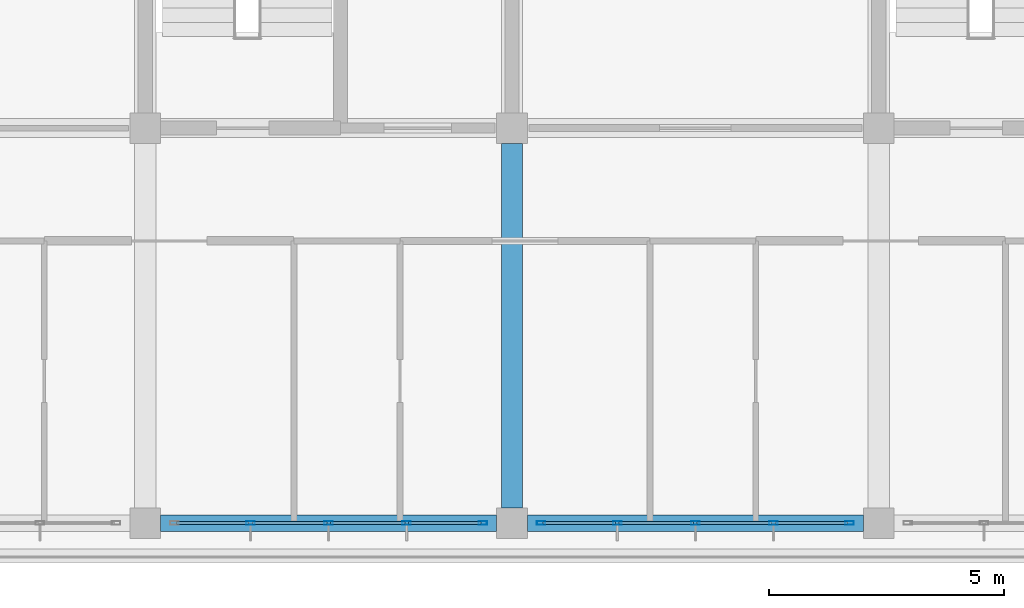
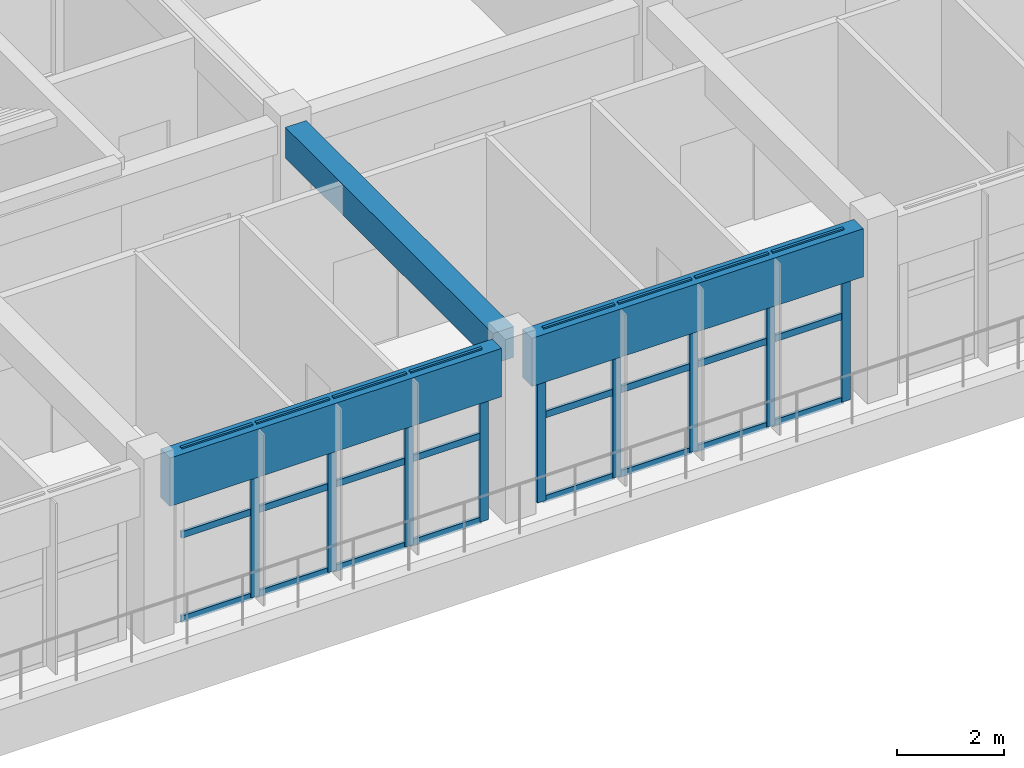
# One storey, part 21 of 63: 33 members, 3 beams, 2 elements without a shape of their own.
"""IFC4 building model written with IfcOpenShell, lengths in metres."""

from ifc_helpers import new_model, si_unit, direction, frame, origin, origin_2d, place, context, subcontext, project, spatial, rectangle, hollow_rectangle, extrude, material, layer, layer_set, material_profile, profile_set, type_object, element, aggregate, save


model = new_model("IFC4")

# Units and contexts
model_context = context("Model", 3, precision=1e-05, world=origin(), true_north=direction((0.0, 1.0)))
body_context = subcontext(model_context, "Body", "Model", "MODEL_VIEW")
ifc_project = project(units=[si_unit("LENGTHUNIT", "METRE"), si_unit("AREAUNIT", "SQUARE_METRE"), si_unit("VOLUMEUNIT", "CUBIC_METRE"), si_unit("PLANEANGLEUNIT", "RADIAN"), si_unit("MASSUNIT", "GRAM", prefix="KILO")], contexts=[model_context])

# Site, building, storey
site_placement = place(None, origin())
site = spatial("IfcSite", under=ifc_project, at=site_placement, CompositionType="ELEMENT")
building_placement = place(site_placement, origin())
building = spatial("IfcBuilding", under=site, at=building_placement, Name="Zizhar Promenade General Hospital", CompositionType="ELEMENT")
storey_placement = place(building_placement, frame((0.0, 0.0, 18.0)))
storey = spatial("IfcBuildingStorey", under=building, at=storey_placement, Name="L04", CompositionType="ELEMENT", Elevation=18.0)

# Beams
ifc_material_1 = material(Name="Precast concrete C40/50", Category="concrete")
ifc_material_profile_1 = material_profile(ifc_material_1, rectangle(XDim=0.35009765625, YDim=1.10009765625, at=origin_2d()))
ifc_profile_set_1 = profile_set([ifc_material_profile_1], Name="Precast concrete C40/50")
beam_type_1 = type_object("IfcBeamType", Name="BM-PC-BAND1100", PredefinedType="SPANDREL", material=ifc_profile_set_1)
beam_1_placement = place(storey_placement, frame((78.324951171875, 0.0, 3.360107421875), z_axis=(1.0, 0.0, 0.0), x_axis=(0.0, 1.0, 0.0)))
element("IfcBeam", 1, at=beam_1_placement, inside=storey, type_object=beam_type_1, Name="Grid Beam X L04 (10-0)", PredefinedType="SPANDREL", context=body_context, shape_type="SweptSolid", body=[
    extrude(rectangle(XDim=0.35009765625, YDim=1.10009765625, at=origin_2d()), origin(), (0.0, 0.0, 1.0), 7.150146484375),
])
beam_2_placement = place(storey_placement, frame((86.125, 0.0, 3.360107421875), z_axis=(1.0, 0.0, 0.0), x_axis=(0.0, 1.0, 0.0)))
element("IfcBeam", 2, at=beam_2_placement, inside=storey, type_object=beam_type_1, Name="Grid Beam X L04 (11-0)", PredefinedType="SPANDREL", context=body_context, shape_type="SweptSolid", body=[
    extrude(rectangle(XDim=0.35009765625, YDim=1.10009765625, at=origin_2d()), origin(), (0.0, 0.0, 1.0), 7.14990234375),
])
ifc_material_2 = material(Name="Concrete C35/45", Category="concrete")
ifc_material_profile_2 = material_profile(ifc_material_2, rectangle(XDim=0.449951171875, YDim=0.699951171875, at=origin_2d()))
ifc_profile_set_2 = profile_set([ifc_material_profile_2], Name="Concrete C35/45")
beam_type_2 = type_object("IfcBeamType", Name="BM-RC-450x700", PredefinedType="BEAM", material=ifc_profile_set_2)
beam_3_placement = place(storey_placement, frame((85.800048828125, 0.324951171875, 3.56005859375), z_axis=(0.0, 1.0, 0.0), x_axis=(-1.0, 0.0, 0.0)))
element("IfcBeam", 3, at=beam_3_placement, inside=storey, type_object=beam_type_2, Name="Grid Beam Y L04 (11-0)", PredefinedType="BEAM", context=body_context, shape_type="SweptSolid", body=[
    extrude(rectangle(XDim=0.449951171875, YDim=0.699951171875, at=origin_2d()), origin(), (0.0, 0.0, 1.0), 7.75),
])

# Curtain wall, members
ifc_material_3 = material(Name="Anodised aluminium 6063-T6 and low-E glass", Category="aluminium")
ifc_layer = layer(ifc_material_3, 0.159912109375)
ifc_layer_set = layer_set([ifc_layer], Name="Anodised aluminium 6063-T6 and low-E glass")
curtain_wall_type = type_object("IfcCurtainWallType", Name="CW-WARD-RIB", PredefinedType="NOTDEFINED", material=ifc_layer_set)
curtain_wall_1_placement = place(storey_placement, origin())
curtain_wall_1 = element("IfcCurtainWall", 4, at=curtain_wall_1_placement, inside=storey, type_object=curtain_wall_type, Name="Ward Ribbon Curtain Wall L04-17-3", PredefinedType="NOTDEFINED")
ifc_material_4 = material(Name="Anodised aluminium 6063-T6", Category="aluminium")
ifc_material_profile_3 = material_profile(ifc_material_4, hollow_rectangle(XDim=0.080078125, YDim=0.179931640625, WallThickness=0.0048828125, at=origin_2d()))
ifc_profile_set_3 = profile_set([ifc_material_profile_3], Name="Anodised aluminium 6063-T6")
member_type_1 = type_object("IfcMemberType", Name="CWM-ALU-180x80", PredefinedType="MULLION", material=ifc_profile_set_3)
member_1_placement = place(storey_placement, frame((92.97998046875, 0.0, 0.0), z_axis=(0.0, 0.0, 1.0), x_axis=(0.0, -1.0, 0.0)))
member_1 = element("IfcMember", 5, at=member_1_placement, type_object=member_type_1, Name="CW-13 mullion 1", PredefinedType="MULLION", context=body_context, shape_type="SweptSolid", body=[
    extrude(hollow_rectangle(XDim=0.080078125, YDim=0.179931640625, WallThickness=0.0048828125, at=origin_2d()), origin(), (0.0, 0.0, 1.0), 3.89990234375),
])
member_2_placement = place(storey_placement, frame((91.360107421875, 0.0, 0.0), z_axis=(0.0, 0.0, 1.0), x_axis=(0.0, -1.0, 0.0)))
member_2 = element("IfcMember", 6, at=member_2_placement, type_object=member_type_1, Name="CW-13 mullion 2", PredefinedType="MULLION", context=body_context, shape_type="SweptSolid", body=[
    extrude(hollow_rectangle(XDim=0.080078125, YDim=0.179931640625, WallThickness=0.0048828125, at=origin_2d()), origin(), (0.0, 0.0, 1.0), 3.89990234375),
])
member_3_placement = place(storey_placement, frame((89.699951171875, 0.0, 0.0), z_axis=(0.0, 0.0, 1.0), x_axis=(0.0, -1.0, 0.0)))
member_3 = element("IfcMember", 7, at=member_3_placement, type_object=member_type_1, Name="CW-13 mullion 3", PredefinedType="MULLION", context=body_context, shape_type="SweptSolid", body=[
    extrude(hollow_rectangle(XDim=0.080078125, YDim=0.179931640625, WallThickness=0.0048828125, at=origin_2d()), origin(), (0.0, 0.0, 1.0), 3.89990234375),
])
member_4_placement = place(storey_placement, frame((88.0400390625, 0.0, 0.0), z_axis=(0.0, 0.0, 1.0), x_axis=(0.0, -1.0, 0.0)))
member_4 = element("IfcMember", 8, at=member_4_placement, type_object=member_type_1, Name="CW-13 mullion 4", PredefinedType="MULLION", context=body_context, shape_type="SweptSolid", body=[
    extrude(hollow_rectangle(XDim=0.080078125, YDim=0.179931640625, WallThickness=0.0048828125, at=origin_2d()), origin(), (0.0, 0.0, 1.0), 3.89990234375),
])
member_5_placement = place(storey_placement, frame((86.419921875, 0.0, 0.0), z_axis=(0.0, 0.0, 1.0), x_axis=(0.0, -1.0, 0.0)))
member_5 = element("IfcMember", 9, at=member_5_placement, type_object=member_type_1, Name="CW-13 mullion 5", PredefinedType="MULLION", context=body_context, shape_type="SweptSolid", body=[
    extrude(hollow_rectangle(XDim=0.080078125, YDim=0.179931640625, WallThickness=0.0048828125, at=origin_2d()), origin(), (0.0, 0.0, 1.0), 3.89990234375),
])

curtain_wall_2_placement = place(storey_placement, origin())
curtain_wall_2 = element("IfcCurtainWall", 10, at=curtain_wall_2_placement, inside=storey, type_object=curtain_wall_type, Name="Ward Ribbon Curtain Wall L04-17-4", PredefinedType="NOTDEFINED")
member_6_placement = place(storey_placement, frame((85.179931640625, 0.0, 0.0), z_axis=(0.0, 0.0, 1.0), x_axis=(0.0, -1.0, 0.0)))
member_6 = element("IfcMember", 11, at=member_6_placement, type_object=member_type_1, Name="CW-13 mullion 1", PredefinedType="MULLION", context=body_context, shape_type="SweptSolid", body=[
    extrude(hollow_rectangle(XDim=0.080078125, YDim=0.179931640625, WallThickness=0.0048828125, at=origin_2d()), origin(), (0.0, 0.0, 1.0), 3.89990234375),
])
member_7_placement = place(storey_placement, frame((83.56005859375, 0.0, 0.0), z_axis=(0.0, 0.0, 1.0), x_axis=(0.0, -1.0, 0.0)))
member_7 = element("IfcMember", 12, at=member_7_placement, type_object=member_type_1, Name="CW-13 mullion 2", PredefinedType="MULLION", context=body_context, shape_type="SweptSolid", body=[
    extrude(hollow_rectangle(XDim=0.080078125, YDim=0.179931640625, WallThickness=0.0048828125, at=origin_2d()), origin(), (0.0, 0.0, 1.0), 3.89990234375),
])
member_8_placement = place(storey_placement, frame((81.89990234375, 0.0, 0.0), z_axis=(0.0, 0.0, 1.0), x_axis=(0.0, -1.0, 0.0)))
member_8 = element("IfcMember", 13, at=member_8_placement, type_object=member_type_1, Name="CW-13 mullion 3", PredefinedType="MULLION", context=body_context, shape_type="SweptSolid", body=[
    extrude(hollow_rectangle(XDim=0.080078125, YDim=0.179931640625, WallThickness=0.0048828125, at=origin_2d()), origin(), (0.0, 0.0, 1.0), 3.89990234375),
])
member_9_placement = place(storey_placement, frame((80.239990234375, 0.0, 0.0), z_axis=(0.0, 0.0, 1.0), x_axis=(0.0, -1.0, 0.0)))
member_9 = element("IfcMember", 14, at=member_9_placement, type_object=member_type_1, Name="CW-13 mullion 4", PredefinedType="MULLION", context=body_context, shape_type="SweptSolid", body=[
    extrude(hollow_rectangle(XDim=0.080078125, YDim=0.179931640625, WallThickness=0.0048828125, at=origin_2d()), origin(), (0.0, 0.0, 1.0), 3.89990234375),
])

# Member
ifc_material_5 = material(Name="Anodised aluminium 6063-T6", Category="aluminium")
ifc_material_profile_4 = material_profile(ifc_material_5, hollow_rectangle(XDim=0.06005859375, YDim=0.14990234375, WallThickness=0.00390625, at=origin_2d()))
ifc_profile_set_4 = profile_set([ifc_material_profile_4], Name="Anodised aluminium 6063-T6")
member_type_2 = type_object("IfcMemberType", Name="CWT-ALU-150x60", PredefinedType="USERDEFINED", material=ifc_profile_set_4)
member_10_placement = place(storey_placement, frame((92.93994140625, 0.0, 0.030029296875), z_axis=(-1.0, 0.0, 0.0), x_axis=(0.0, -1.0, 0.0)))
member_10 = element("IfcMember", 15, at=member_10_placement, type_object=member_type_2, Name="CW-13 transom 1.1", ObjectType="TRANSOM", PredefinedType="USERDEFINED", context=body_context, shape_type="SweptSolid", body=[
    extrude(hollow_rectangle(XDim=0.06005859375, YDim=0.14990234375, WallThickness=0.00390625, at=origin_2d()), origin(), (0.0, 0.0, 1.0), 1.5400390625),
])

member_11_placement = place(storey_placement, frame((92.93994140625, 0.0, 1.949951171875), z_axis=(-1.0, 0.0, 0.0), x_axis=(0.0, -1.0, 0.0)))
member_11 = element("IfcMember", 16, at=member_11_placement, type_object=member_type_2, Name="CW-13 transom 1.2", ObjectType="TRANSOM", PredefinedType="USERDEFINED", context=body_context, shape_type="SweptSolid", body=[
    extrude(hollow_rectangle(XDim=0.06005859375, YDim=0.14990234375, WallThickness=0.00390625, at=origin_2d()), origin(), (0.0, 0.0, 1.0), 1.5400390625),
])

member_12_placement = place(storey_placement, frame((92.93994140625, 0.0, 3.8701171875), z_axis=(-1.0, 0.0, 0.0), x_axis=(0.0, -1.0, 0.0)))
member_12 = element("IfcMember", 17, at=member_12_placement, type_object=member_type_2, Name="CW-13 transom 1.3", ObjectType="TRANSOM", PredefinedType="USERDEFINED", context=body_context, shape_type="SweptSolid", body=[
    extrude(hollow_rectangle(XDim=0.06005859375, YDim=0.14990234375, WallThickness=0.00390625, at=origin_2d()), origin(), (0.0, 0.0, 1.0), 1.5400390625),
])

member_13_placement = place(storey_placement, frame((91.320068359375, 0.0, 0.030029296875), z_axis=(-1.0, 0.0, 0.0), x_axis=(0.0, -1.0, 0.0)))
member_13 = element("IfcMember", 18, at=member_13_placement, type_object=member_type_2, Name="CW-13 transom 2.1", ObjectType="TRANSOM", PredefinedType="USERDEFINED", context=body_context, shape_type="SweptSolid", body=[
    extrude(hollow_rectangle(XDim=0.06005859375, YDim=0.14990234375, WallThickness=0.00390625, at=origin_2d()), origin(), (0.0, 0.0, 1.0), 1.580078125),
])

member_14_placement = place(storey_placement, frame((91.320068359375, 0.0, 1.949951171875), z_axis=(-1.0, 0.0, 0.0), x_axis=(0.0, -1.0, 0.0)))
member_14 = element("IfcMember", 19, at=member_14_placement, type_object=member_type_2, Name="CW-13 transom 2.2", ObjectType="TRANSOM", PredefinedType="USERDEFINED", context=body_context, shape_type="SweptSolid", body=[
    extrude(hollow_rectangle(XDim=0.06005859375, YDim=0.14990234375, WallThickness=0.00390625, at=origin_2d()), origin(), (0.0, 0.0, 1.0), 1.580078125),
])

member_15_placement = place(storey_placement, frame((91.320068359375, 0.0, 3.8701171875), z_axis=(-1.0, 0.0, 0.0), x_axis=(0.0, -1.0, 0.0)))
member_15 = element("IfcMember", 20, at=member_15_placement, type_object=member_type_2, Name="CW-13 transom 2.3", ObjectType="TRANSOM", PredefinedType="USERDEFINED", context=body_context, shape_type="SweptSolid", body=[
    extrude(hollow_rectangle(XDim=0.06005859375, YDim=0.14990234375, WallThickness=0.00390625, at=origin_2d()), origin(), (0.0, 0.0, 1.0), 1.580078125),
])

member_16_placement = place(storey_placement, frame((89.659912109375, 0.0, 0.030029296875), z_axis=(-1.0, 0.0, 0.0), x_axis=(0.0, -1.0, 0.0)))
member_16 = element("IfcMember", 21, at=member_16_placement, type_object=member_type_2, Name="CW-13 transom 3.1", ObjectType="TRANSOM", PredefinedType="USERDEFINED", context=body_context, shape_type="SweptSolid", body=[
    extrude(hollow_rectangle(XDim=0.06005859375, YDim=0.14990234375, WallThickness=0.00390625, at=origin_2d()), origin(), (0.0, 0.0, 1.0), 1.579833984375),
])

member_17_placement = place(storey_placement, frame((89.659912109375, 0.0, 1.949951171875), z_axis=(-1.0, 0.0, 0.0), x_axis=(0.0, -1.0, 0.0)))
member_17 = element("IfcMember", 22, at=member_17_placement, type_object=member_type_2, Name="CW-13 transom 3.2", ObjectType="TRANSOM", PredefinedType="USERDEFINED", context=body_context, shape_type="SweptSolid", body=[
    extrude(hollow_rectangle(XDim=0.06005859375, YDim=0.14990234375, WallThickness=0.00390625, at=origin_2d()), origin(), (0.0, 0.0, 1.0), 1.579833984375),
])

member_18_placement = place(storey_placement, frame((89.659912109375, 0.0, 3.8701171875), z_axis=(-1.0, 0.0, 0.0), x_axis=(0.0, -1.0, 0.0)))
member_18 = element("IfcMember", 23, at=member_18_placement, type_object=member_type_2, Name="CW-13 transom 3.3", ObjectType="TRANSOM", PredefinedType="USERDEFINED", context=body_context, shape_type="SweptSolid", body=[
    extrude(hollow_rectangle(XDim=0.06005859375, YDim=0.14990234375, WallThickness=0.00390625, at=origin_2d()), origin(), (0.0, 0.0, 1.0), 1.579833984375),
])

member_19_placement = place(storey_placement, frame((88.0, 0.0, 0.030029296875), z_axis=(-1.0, 0.0, 0.0), x_axis=(0.0, -1.0, 0.0)))
member_19 = element("IfcMember", 24, at=member_19_placement, type_object=member_type_2, Name="CW-13 transom 4.1", ObjectType="TRANSOM", PredefinedType="USERDEFINED", context=body_context, shape_type="SweptSolid", body=[
    extrude(hollow_rectangle(XDim=0.06005859375, YDim=0.14990234375, WallThickness=0.00390625, at=origin_2d()), origin(), (0.0, 0.0, 1.0), 1.5400390625),
])

member_20_placement = place(storey_placement, frame((88.0, 0.0, 1.949951171875), z_axis=(-1.0, 0.0, 0.0), x_axis=(0.0, -1.0, 0.0)))
member_20 = element("IfcMember", 25, at=member_20_placement, type_object=member_type_2, Name="CW-13 transom 4.2", ObjectType="TRANSOM", PredefinedType="USERDEFINED", context=body_context, shape_type="SweptSolid", body=[
    extrude(hollow_rectangle(XDim=0.06005859375, YDim=0.14990234375, WallThickness=0.00390625, at=origin_2d()), origin(), (0.0, 0.0, 1.0), 1.5400390625),
])

member_21_placement = place(storey_placement, frame((88.0, 0.0, 3.8701171875), z_axis=(-1.0, 0.0, 0.0), x_axis=(0.0, -1.0, 0.0)))
member_21 = element("IfcMember", 26, at=member_21_placement, type_object=member_type_2, Name="CW-13 transom 4.3", ObjectType="TRANSOM", PredefinedType="USERDEFINED", context=body_context, shape_type="SweptSolid", body=[
    extrude(hollow_rectangle(XDim=0.06005859375, YDim=0.14990234375, WallThickness=0.00390625, at=origin_2d()), origin(), (0.0, 0.0, 1.0), 1.5400390625),
])

aggregate(curtain_wall_1, [member_1, member_2, member_3, member_4, member_5, member_10, member_11, member_12, member_13, member_14, member_15, member_16, member_17, member_18, member_19, member_20, member_21])

member_22_placement = place(storey_placement, frame((85.139892578125, 0.0, 0.030029296875), z_axis=(-1.0, 0.0, 0.0), x_axis=(0.0, -1.0, 0.0)))
member_22 = element("IfcMember", 27, at=member_22_placement, type_object=member_type_2, Name="CW-13 transom 1.1", ObjectType="TRANSOM", PredefinedType="USERDEFINED", context=body_context, shape_type="SweptSolid", body=[
    extrude(hollow_rectangle(XDim=0.06005859375, YDim=0.14990234375, WallThickness=0.00390625, at=origin_2d()), origin(), (0.0, 0.0, 1.0), 1.539794921875),
])

member_23_placement = place(storey_placement, frame((85.139892578125, 0.0, 1.949951171875), z_axis=(-1.0, 0.0, 0.0), x_axis=(0.0, -1.0, 0.0)))
member_23 = element("IfcMember", 28, at=member_23_placement, type_object=member_type_2, Name="CW-13 transom 1.2", ObjectType="TRANSOM", PredefinedType="USERDEFINED", context=body_context, shape_type="SweptSolid", body=[
    extrude(hollow_rectangle(XDim=0.06005859375, YDim=0.14990234375, WallThickness=0.00390625, at=origin_2d()), origin(), (0.0, 0.0, 1.0), 1.539794921875),
])

member_24_placement = place(storey_placement, frame((85.139892578125, 0.0, 3.8701171875), z_axis=(-1.0, 0.0, 0.0), x_axis=(0.0, -1.0, 0.0)))
member_24 = element("IfcMember", 29, at=member_24_placement, type_object=member_type_2, Name="CW-13 transom 1.3", ObjectType="TRANSOM", PredefinedType="USERDEFINED", context=body_context, shape_type="SweptSolid", body=[
    extrude(hollow_rectangle(XDim=0.06005859375, YDim=0.14990234375, WallThickness=0.00390625, at=origin_2d()), origin(), (0.0, 0.0, 1.0), 1.539794921875),
])

member_25_placement = place(storey_placement, frame((83.52001953125, 0.0, 0.030029296875), z_axis=(-1.0, 0.0, 0.0), x_axis=(0.0, -1.0, 0.0)))
member_25 = element("IfcMember", 30, at=member_25_placement, type_object=member_type_2, Name="CW-13 transom 2.1", ObjectType="TRANSOM", PredefinedType="USERDEFINED", context=body_context, shape_type="SweptSolid", body=[
    extrude(hollow_rectangle(XDim=0.06005859375, YDim=0.14990234375, WallThickness=0.00390625, at=origin_2d()), origin(), (0.0, 0.0, 1.0), 1.580078125),
])

member_26_placement = place(storey_placement, frame((83.52001953125, 0.0, 1.949951171875), z_axis=(-1.0, 0.0, 0.0), x_axis=(0.0, -1.0, 0.0)))
member_26 = element("IfcMember", 31, at=member_26_placement, type_object=member_type_2, Name="CW-13 transom 2.2", ObjectType="TRANSOM", PredefinedType="USERDEFINED", context=body_context, shape_type="SweptSolid", body=[
    extrude(hollow_rectangle(XDim=0.06005859375, YDim=0.14990234375, WallThickness=0.00390625, at=origin_2d()), origin(), (0.0, 0.0, 1.0), 1.580078125),
])

member_27_placement = place(storey_placement, frame((83.52001953125, 0.0, 3.8701171875), z_axis=(-1.0, 0.0, 0.0), x_axis=(0.0, -1.0, 0.0)))
member_27 = element("IfcMember", 32, at=member_27_placement, type_object=member_type_2, Name="CW-13 transom 2.3", ObjectType="TRANSOM", PredefinedType="USERDEFINED", context=body_context, shape_type="SweptSolid", body=[
    extrude(hollow_rectangle(XDim=0.06005859375, YDim=0.14990234375, WallThickness=0.00390625, at=origin_2d()), origin(), (0.0, 0.0, 1.0), 1.580078125),
])

member_28_placement = place(storey_placement, frame((81.860107421875, 0.0, 0.030029296875), z_axis=(-1.0, 0.0, 0.0), x_axis=(0.0, -1.0, 0.0)))
member_28 = element("IfcMember", 33, at=member_28_placement, type_object=member_type_2, Name="CW-13 transom 3.1", ObjectType="TRANSOM", PredefinedType="USERDEFINED", context=body_context, shape_type="SweptSolid", body=[
    extrude(hollow_rectangle(XDim=0.06005859375, YDim=0.14990234375, WallThickness=0.00390625, at=origin_2d()), origin(), (0.0, 0.0, 1.0), 1.580078125),
])

member_29_placement = place(storey_placement, frame((81.860107421875, 0.0, 1.949951171875), z_axis=(-1.0, 0.0, 0.0), x_axis=(0.0, -1.0, 0.0)))
member_29 = element("IfcMember", 34, at=member_29_placement, type_object=member_type_2, Name="CW-13 transom 3.2", ObjectType="TRANSOM", PredefinedType="USERDEFINED", context=body_context, shape_type="SweptSolid", body=[
    extrude(hollow_rectangle(XDim=0.06005859375, YDim=0.14990234375, WallThickness=0.00390625, at=origin_2d()), origin(), (0.0, 0.0, 1.0), 1.580078125),
])

member_30_placement = place(storey_placement, frame((81.860107421875, 0.0, 3.8701171875), z_axis=(-1.0, 0.0, 0.0), x_axis=(0.0, -1.0, 0.0)))
member_30 = element("IfcMember", 35, at=member_30_placement, type_object=member_type_2, Name="CW-13 transom 3.3", ObjectType="TRANSOM", PredefinedType="USERDEFINED", context=body_context, shape_type="SweptSolid", body=[
    extrude(hollow_rectangle(XDim=0.06005859375, YDim=0.14990234375, WallThickness=0.00390625, at=origin_2d()), origin(), (0.0, 0.0, 1.0), 1.580078125),
])

member_31_placement = place(storey_placement, frame((80.199951171875, 0.0, 0.030029296875), z_axis=(-1.0, 0.0, 0.0), x_axis=(0.0, -1.0, 0.0)))
member_31 = element("IfcMember", 36, at=member_31_placement, type_object=member_type_2, Name="CW-13 transom 4.1", ObjectType="TRANSOM", PredefinedType="USERDEFINED", context=body_context, shape_type="SweptSolid", body=[
    extrude(hollow_rectangle(XDim=0.06005859375, YDim=0.14990234375, WallThickness=0.00390625, at=origin_2d()), origin(), (0.0, 0.0, 1.0), 1.5400390625),
])

member_32_placement = place(storey_placement, frame((80.199951171875, 0.0, 1.949951171875), z_axis=(-1.0, 0.0, 0.0), x_axis=(0.0, -1.0, 0.0)))
member_32 = element("IfcMember", 37, at=member_32_placement, type_object=member_type_2, Name="CW-13 transom 4.2", ObjectType="TRANSOM", PredefinedType="USERDEFINED", context=body_context, shape_type="SweptSolid", body=[
    extrude(hollow_rectangle(XDim=0.06005859375, YDim=0.14990234375, WallThickness=0.00390625, at=origin_2d()), origin(), (0.0, 0.0, 1.0), 1.5400390625),
])

member_33_placement = place(storey_placement, frame((80.199951171875, 0.0, 3.8701171875), z_axis=(-1.0, 0.0, 0.0), x_axis=(0.0, -1.0, 0.0)))
member_33 = element("IfcMember", 38, at=member_33_placement, type_object=member_type_2, Name="CW-13 transom 4.3", ObjectType="TRANSOM", PredefinedType="USERDEFINED", context=body_context, shape_type="SweptSolid", body=[
    extrude(hollow_rectangle(XDim=0.06005859375, YDim=0.14990234375, WallThickness=0.00390625, at=origin_2d()), origin(), (0.0, 0.0, 1.0), 1.5400390625),
])

aggregate(curtain_wall_2, [member_6, member_7, member_8, member_9, member_22, member_23, member_24, member_25, member_26, member_27, member_28, member_29, member_30, member_31, member_32, member_33])

save(model, "model.ifc")
